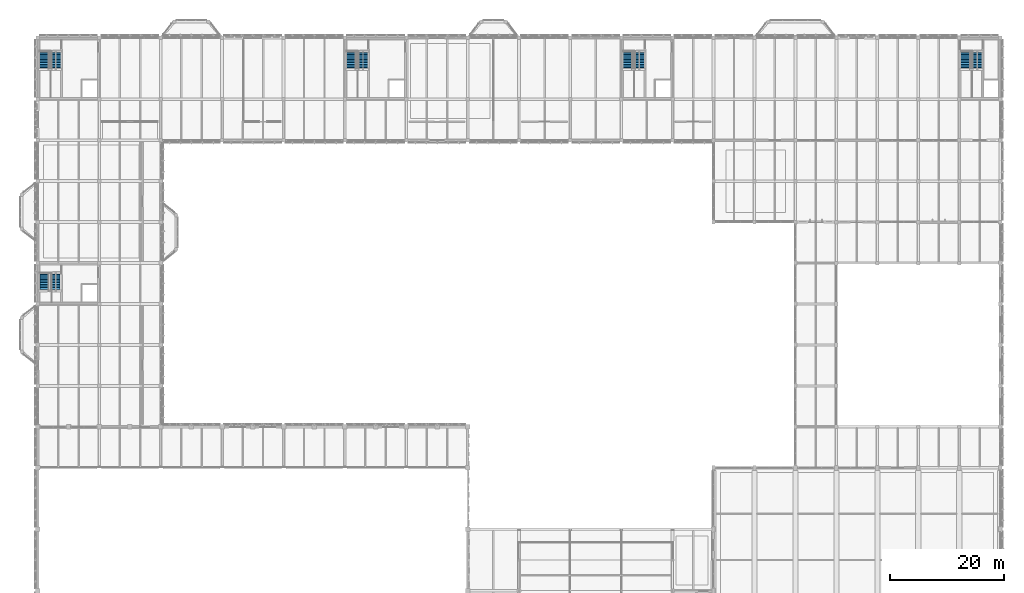
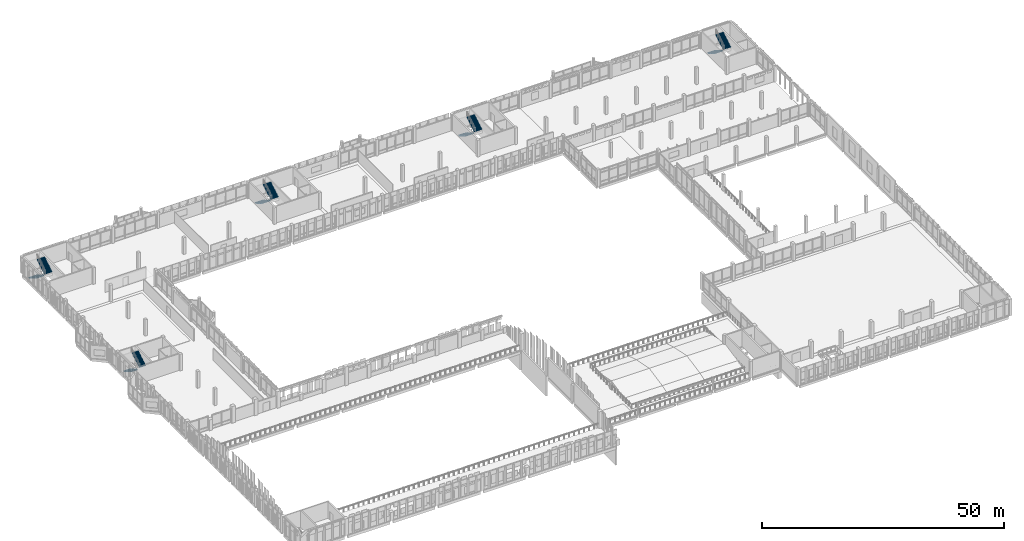
# One storey, part 138 of 158: 10 stair flights, 5 elements without a shape of their own.
"""IFC4 building model written with IfcOpenShell, lengths in metres."""

from ifc_helpers import new_model, si_unit, direction, frame, origin, place, context, subcontext, project, spatial, polyline, outline, extrude, material, type_object, element, aggregate, save


model = new_model("IFC4")

# Units and contexts
model_context = context("Model", 3, precision=1e-05, world=origin(), true_north=direction((0.0, 1.0)))
body_context = subcontext(model_context, "Body", "Model", "MODEL_VIEW")
ifc_project = project(units=[si_unit("LENGTHUNIT", "METRE"), si_unit("AREAUNIT", "SQUARE_METRE"), si_unit("VOLUMEUNIT", "CUBIC_METRE"), si_unit("PLANEANGLEUNIT", "RADIAN"), si_unit("MASSUNIT", "GRAM", prefix="KILO")], contexts=[model_context])

# Site, building, storey
site_placement = place(None, origin())
site = spatial("IfcSite", under=ifc_project, at=site_placement, CompositionType="ELEMENT")
building_placement = place(site_placement, origin())
building = spatial("IfcBuilding", under=site, at=building_placement, Name="Lusvemor Sports Hall", CompositionType="ELEMENT")
storey_placement = place(building_placement, frame((0.0, 0.0, 10.800048828125)))
storey = spatial("IfcBuildingStorey", under=building, at=storey_placement, Name="L02", CompositionType="ELEMENT", Elevation=10.800048828125)

# Stair, stair flights
ifc_material_1 = material(Name="Concrete C40/50", Category="concrete")
stair_type = type_object("IfcStairType", Name="STAIR_CORE_420", PredefinedType="HALF_TURN_STAIR", material=ifc_material_1)
stair_1_placement = place(storey_placement, origin())
stair_1 = element("IfcStair", 1, at=stair_1_placement, inside=storey, type_object=stair_type, Name="Escape Stair C1 (L02)", PredefinedType="HALF_TURN_STAIR")
ifc_material_2 = material(Name="Concrete C40/50", Category="concrete")
stair_flight_type = type_object("IfcStairFlightType", Name="SFLT_CORE_12R", PredefinedType="STRAIGHT", material=ifc_material_2)
stair_flight_1_placement = place(storey_placement, frame((1.159912109375, 112.85009765625, 0.0), z_axis=(0.0, 0.0, 1.0), x_axis=(0.0, -1.0, 0.0)))
stair_flight_1 = element("IfcStairFlight", 2, at=stair_flight_1_placement, type_object=stair_flight_type, Name="ST02 flight 1", NumberOfRisers=12, NumberOfTreads=11, PredefinedType="STRAIGHT", RiserHeight=0.175, TreadLength=0.29, context=body_context, shape_type="SweptSolid", body=[
    extrude(outline(polyline([(0.0, 0.0), (0.0, 0.175048828125), (0.2900390625, 0.175048828125), (0.2900390625, 0.35009765625), (0.580078125, 0.35009765625), (0.580078125, 0.52490234375), (0.8701171875, 0.52490234375), (0.8701171875, 0.699951171875), (1.159912109375, 0.699951171875), (1.159912109375, 0.875), (1.449951171875, 0.875), (1.449951171875, 1.050048828125), (1.739990234375, 1.050048828125), (1.739990234375, 1.22509765625), (2.030029296875, 1.22509765625), (2.030029296875, 1.39990234375), (2.320068359375, 1.39990234375), (2.320068359375, 1.574951171875), (2.610107421875, 1.574951171875), (2.610107421875, 1.75), (2.89990234375, 1.75), (2.89990234375, 1.925048828125), (3.18994140625, 1.925048828125), (3.18994140625, 2.10009765625), (3.18994140625, 1.73828125), (0.3095703125, 0.0), (0.0, 0.0)])), frame((0.0, 0.9599609375, 0.0), z_axis=(0.0, -1.0, 0.0), x_axis=(1.0, 0.0, 0.0)), (0.0, 0.0, 1.0), 1.919921875),
])
stair_flight_2_placement = place(storey_placement, frame((3.159912109375, 109.659912109375, 2.099853515625), z_axis=(0.0, 0.0, 1.0), x_axis=(0.0, 1.0, 0.0)))
stair_flight_2 = element("IfcStairFlight", 3, at=stair_flight_2_placement, type_object=stair_flight_type, Name="ST02 flight 2", NumberOfRisers=12, NumberOfTreads=11, PredefinedType="STRAIGHT", RiserHeight=0.175, TreadLength=0.29, context=body_context, shape_type="SweptSolid", body=[
    extrude(outline(polyline([(0.0, 0.0), (0.0, 0.175048828125), (0.2900390625, 0.175048828125), (0.2900390625, 0.35009765625), (0.580078125, 0.35009765625), (0.580078125, 0.52490234375), (0.8701171875, 0.52490234375), (0.8701171875, 0.699951171875), (1.159912109375, 0.699951171875), (1.159912109375, 0.875), (1.449951171875, 0.875), (1.449951171875, 1.050048828125), (1.739990234375, 1.050048828125), (1.739990234375, 1.22509765625), (2.030029296875, 1.22509765625), (2.030029296875, 1.39990234375), (2.320068359375, 1.39990234375), (2.320068359375, 1.574951171875), (2.610107421875, 1.574951171875), (2.610107421875, 1.75), (2.89990234375, 1.75), (2.89990234375, 1.925048828125), (3.18994140625, 1.925048828125), (3.18994140625, 2.10009765625), (3.18994140625, 1.73828125), (0.3095703125, 0.0), (0.0, 0.0)])), frame((0.0, 0.9599609375, 0.0), z_axis=(0.0, -1.0, 0.0), x_axis=(1.0, 0.0, 0.0)), (0.0, 0.0, 1.0), 1.919921875),
])
aggregate(stair_1, [stair_flight_1, stair_flight_2])

stair_2_placement = place(storey_placement, origin())
stair_2 = element("IfcStair", 4, at=stair_2_placement, inside=storey, type_object=stair_type, Name="Escape Stair C2 (L02)", PredefinedType="HALF_TURN_STAIR")
stair_flight_3_placement = place(storey_placement, frame((55.159912109375, 112.85009765625, 0.0), z_axis=(0.0, 0.0, 1.0), x_axis=(0.0, -1.0, 0.0)))
stair_flight_3 = element("IfcStairFlight", 5, at=stair_flight_3_placement, type_object=stair_flight_type, Name="ST02 flight 1", NumberOfRisers=12, NumberOfTreads=11, PredefinedType="STRAIGHT", RiserHeight=0.175, TreadLength=0.29, context=body_context, shape_type="SweptSolid", body=[
    extrude(outline(polyline([(0.0, 0.0), (0.0, 0.175048828125), (0.2900390625, 0.175048828125), (0.2900390625, 0.35009765625), (0.580078125, 0.35009765625), (0.580078125, 0.52490234375), (0.8701171875, 0.52490234375), (0.8701171875, 0.699951171875), (1.159912109375, 0.699951171875), (1.159912109375, 0.875), (1.449951171875, 0.875), (1.449951171875, 1.050048828125), (1.739990234375, 1.050048828125), (1.739990234375, 1.22509765625), (2.030029296875, 1.22509765625), (2.030029296875, 1.39990234375), (2.320068359375, 1.39990234375), (2.320068359375, 1.574951171875), (2.610107421875, 1.574951171875), (2.610107421875, 1.75), (2.89990234375, 1.75), (2.89990234375, 1.925048828125), (3.18994140625, 1.925048828125), (3.18994140625, 2.10009765625), (3.18994140625, 1.73828125), (0.3095703125, 0.0), (0.0, 0.0)])), frame((0.0, 0.9599609375, 0.0), z_axis=(0.0, -1.0, 0.0), x_axis=(1.0, 0.0, 0.0)), (0.0, 0.0, 1.0), 1.919921875),
])
stair_flight_4_placement = place(storey_placement, frame((57.159912109375, 109.659912109375, 2.099853515625), z_axis=(0.0, 0.0, 1.0), x_axis=(0.0, 1.0, 0.0)))
stair_flight_4 = element("IfcStairFlight", 6, at=stair_flight_4_placement, type_object=stair_flight_type, Name="ST02 flight 2", NumberOfRisers=12, NumberOfTreads=11, PredefinedType="STRAIGHT", RiserHeight=0.175, TreadLength=0.29, context=body_context, shape_type="SweptSolid", body=[
    extrude(outline(polyline([(0.0, 0.0), (0.0, 0.175048828125), (0.2900390625, 0.175048828125), (0.2900390625, 0.35009765625), (0.580078125, 0.35009765625), (0.580078125, 0.52490234375), (0.8701171875, 0.52490234375), (0.8701171875, 0.699951171875), (1.159912109375, 0.699951171875), (1.159912109375, 0.875), (1.449951171875, 0.875), (1.449951171875, 1.050048828125), (1.739990234375, 1.050048828125), (1.739990234375, 1.22509765625), (2.030029296875, 1.22509765625), (2.030029296875, 1.39990234375), (2.320068359375, 1.39990234375), (2.320068359375, 1.574951171875), (2.610107421875, 1.574951171875), (2.610107421875, 1.75), (2.89990234375, 1.75), (2.89990234375, 1.925048828125), (3.18994140625, 1.925048828125), (3.18994140625, 2.10009765625), (3.18994140625, 1.73828125), (0.3095703125, 0.0), (0.0, 0.0)])), frame((0.0, 0.9599609375, 0.0), z_axis=(0.0, -1.0, 0.0), x_axis=(1.0, 0.0, 0.0)), (0.0, 0.0, 1.0), 1.919921875),
])
aggregate(stair_2, [stair_flight_3, stair_flight_4])

stair_3_placement = place(storey_placement, origin())
stair_3 = element("IfcStair", 7, at=stair_3_placement, inside=storey, type_object=stair_type, Name="Escape Stair C3 (L02)", PredefinedType="HALF_TURN_STAIR")
stair_flight_5_placement = place(storey_placement, frame((1.14990234375, 73.8798828125, 0.0), z_axis=(0.0, 0.0, 1.0), x_axis=(0.0, -1.0, 0.0)))
stair_flight_5 = element("IfcStairFlight", 8, at=stair_flight_5_placement, type_object=stair_flight_type, Name="ST02 flight 1", NumberOfRisers=12, NumberOfTreads=11, PredefinedType="STRAIGHT", RiserHeight=0.175, TreadLength=0.29, context=body_context, shape_type="SweptSolid", body=[
    extrude(outline(polyline([(0.0, 0.0), (0.0, 0.175048828125), (0.2900390625, 0.175048828125), (0.2900390625, 0.35009765625), (0.580078125, 0.35009765625), (0.580078125, 0.52490234375), (0.8701171875, 0.52490234375), (0.8701171875, 0.699951171875), (1.159912109375, 0.699951171875), (1.159912109375, 0.875), (1.449951171875, 0.875), (1.449951171875, 1.050048828125), (1.739990234375, 1.050048828125), (1.739990234375, 1.22509765625), (2.030029296875, 1.22509765625), (2.030029296875, 1.39990234375), (2.320068359375, 1.39990234375), (2.320068359375, 1.574951171875), (2.610107421875, 1.574951171875), (2.610107421875, 1.75), (2.89990234375, 1.75), (2.89990234375, 1.925048828125), (3.18994140625, 1.925048828125), (3.18994140625, 2.10009765625), (3.18994140625, 1.73828125), (0.3095703125, 0.0), (0.0, 0.0)])), frame((0.0, 0.75, 0.0), z_axis=(0.0, -1.0, 0.0), x_axis=(1.0, 0.0, 0.0)), (0.0, 0.0, 1.0), 1.5),
])
stair_flight_6_placement = place(storey_placement, frame((3.14990234375, 70.68994140625, 2.099853515625), z_axis=(0.0, 0.0, 1.0), x_axis=(0.0, 1.0, 0.0)))
stair_flight_6 = element("IfcStairFlight", 9, at=stair_flight_6_placement, type_object=stair_flight_type, Name="ST02 flight 2", NumberOfRisers=12, NumberOfTreads=11, PredefinedType="STRAIGHT", RiserHeight=0.175, TreadLength=0.29, context=body_context, shape_type="SweptSolid", body=[
    extrude(outline(polyline([(0.0, 0.0), (0.0, 0.175048828125), (0.2900390625, 0.175048828125), (0.2900390625, 0.35009765625), (0.580078125, 0.35009765625), (0.580078125, 0.52490234375), (0.8701171875, 0.52490234375), (0.8701171875, 0.699951171875), (1.159912109375, 0.699951171875), (1.159912109375, 0.875), (1.449951171875, 0.875), (1.449951171875, 1.050048828125), (1.739990234375, 1.050048828125), (1.739990234375, 1.22509765625), (2.030029296875, 1.22509765625), (2.030029296875, 1.39990234375), (2.320068359375, 1.39990234375), (2.320068359375, 1.574951171875), (2.610107421875, 1.574951171875), (2.610107421875, 1.75), (2.89990234375, 1.75), (2.89990234375, 1.925048828125), (3.18994140625, 1.925048828125), (3.18994140625, 2.10009765625), (3.18994140625, 1.73828125), (0.3095703125, 0.0), (0.0, 0.0)])), frame((0.0, 0.75, 0.0), z_axis=(0.0, -1.0, 0.0), x_axis=(1.0, 0.0, 0.0)), (0.0, 0.0, 1.0), 1.5),
])
aggregate(stair_3, [stair_flight_5, stair_flight_6])

stair_4_placement = place(storey_placement, origin())
stair_4 = element("IfcStair", 10, at=stair_4_placement, inside=storey, type_object=stair_type, Name="Escape Stair C4 (L02)", PredefinedType="HALF_TURN_STAIR")
stair_flight_7_placement = place(storey_placement, frame((103.760009765625, 112.85009765625, 0.0), z_axis=(0.0, 0.0, 1.0), x_axis=(0.0, -1.0, 0.0)))
stair_flight_7 = element("IfcStairFlight", 11, at=stair_flight_7_placement, type_object=stair_flight_type, Name="ST02 flight 1", NumberOfRisers=12, NumberOfTreads=11, PredefinedType="STRAIGHT", RiserHeight=0.175, TreadLength=0.29, context=body_context, shape_type="SweptSolid", body=[
    extrude(outline(polyline([(0.0, 0.0), (0.0, 0.175048828125), (0.2900390625, 0.175048828125), (0.2900390625, 0.35009765625), (0.580078125, 0.35009765625), (0.580078125, 0.52490234375), (0.8701171875, 0.52490234375), (0.8701171875, 0.699951171875), (1.159912109375, 0.699951171875), (1.159912109375, 0.875), (1.449951171875, 0.875), (1.449951171875, 1.050048828125), (1.739990234375, 1.050048828125), (1.739990234375, 1.22509765625), (2.030029296875, 1.22509765625), (2.030029296875, 1.39990234375), (2.320068359375, 1.39990234375), (2.320068359375, 1.574951171875), (2.610107421875, 1.574951171875), (2.610107421875, 1.75), (2.89990234375, 1.75), (2.89990234375, 1.925048828125), (3.18994140625, 1.925048828125), (3.18994140625, 2.10009765625), (3.18994140625, 1.73828125), (0.3095703125, 0.0), (0.0, 0.0)])), frame((0.0, 0.9599609375, 0.0), z_axis=(0.0, -1.0, 0.0), x_axis=(1.0, 0.0, 0.0)), (0.0, 0.0, 1.0), 1.919921875),
])
stair_flight_8_placement = place(storey_placement, frame((105.760009765625, 109.659912109375, 2.099853515625), z_axis=(0.0, 0.0, 1.0), x_axis=(0.0, 1.0, 0.0)))
stair_flight_8 = element("IfcStairFlight", 12, at=stair_flight_8_placement, type_object=stair_flight_type, Name="ST02 flight 2", NumberOfRisers=12, NumberOfTreads=11, PredefinedType="STRAIGHT", RiserHeight=0.175, TreadLength=0.29, context=body_context, shape_type="SweptSolid", body=[
    extrude(outline(polyline([(0.0, 0.0), (0.0, 0.175048828125), (0.2900390625, 0.175048828125), (0.2900390625, 0.35009765625), (0.580078125, 0.35009765625), (0.580078125, 0.52490234375), (0.8701171875, 0.52490234375), (0.8701171875, 0.699951171875), (1.159912109375, 0.699951171875), (1.159912109375, 0.875), (1.449951171875, 0.875), (1.449951171875, 1.050048828125), (1.739990234375, 1.050048828125), (1.739990234375, 1.22509765625), (2.030029296875, 1.22509765625), (2.030029296875, 1.39990234375), (2.320068359375, 1.39990234375), (2.320068359375, 1.574951171875), (2.610107421875, 1.574951171875), (2.610107421875, 1.75), (2.89990234375, 1.75), (2.89990234375, 1.925048828125), (3.18994140625, 1.925048828125), (3.18994140625, 2.10009765625), (3.18994140625, 1.73828125), (0.3095703125, 0.0), (0.0, 0.0)])), frame((0.0, 0.9599609375, 0.0), z_axis=(0.0, -1.0, 0.0), x_axis=(1.0, 0.0, 0.0)), (0.0, 0.0, 1.0), 1.919921875),
])
aggregate(stair_4, [stair_flight_7, stair_flight_8])

stair_5_placement = place(storey_placement, origin())
stair_5 = element("IfcStair", 13, at=stair_5_placement, inside=storey, type_object=stair_type, Name="Escape Stair C5 (L02)", PredefinedType="HALF_TURN_STAIR")
stair_flight_9_placement = place(storey_placement, frame((163.159912109375, 112.85009765625, 0.0), z_axis=(0.0, 0.0, 1.0), x_axis=(0.0, -1.0, 0.0)))
stair_flight_9 = element("IfcStairFlight", 14, at=stair_flight_9_placement, type_object=stair_flight_type, Name="ST02 flight 1", NumberOfRisers=12, NumberOfTreads=11, PredefinedType="STRAIGHT", RiserHeight=0.175, TreadLength=0.29, context=body_context, shape_type="SweptSolid", body=[
    extrude(outline(polyline([(0.0, 0.0), (0.0, 0.175048828125), (0.2900390625, 0.175048828125), (0.2900390625, 0.35009765625), (0.580078125, 0.35009765625), (0.580078125, 0.52490234375), (0.8701171875, 0.52490234375), (0.8701171875, 0.699951171875), (1.159912109375, 0.699951171875), (1.159912109375, 0.875), (1.449951171875, 0.875), (1.449951171875, 1.050048828125), (1.739990234375, 1.050048828125), (1.739990234375, 1.22509765625), (2.030029296875, 1.22509765625), (2.030029296875, 1.39990234375), (2.320068359375, 1.39990234375), (2.320068359375, 1.574951171875), (2.610107421875, 1.574951171875), (2.610107421875, 1.75), (2.89990234375, 1.75), (2.89990234375, 1.925048828125), (3.18994140625, 1.925048828125), (3.18994140625, 2.10009765625), (3.18994140625, 1.73828125), (0.3095703125, 0.0), (0.0, 0.0)])), frame((0.0, 0.9599609375, 0.0), z_axis=(0.0, -1.0, 0.0), x_axis=(1.0, 0.0, 0.0)), (0.0, 0.0, 1.0), 1.919921875),
])
stair_flight_10_placement = place(storey_placement, frame((165.159912109375, 109.659912109375, 2.099853515625), z_axis=(0.0, 0.0, 1.0), x_axis=(0.0, 1.0, 0.0)))
stair_flight_10 = element("IfcStairFlight", 15, at=stair_flight_10_placement, type_object=stair_flight_type, Name="ST02 flight 2", NumberOfRisers=12, NumberOfTreads=11, PredefinedType="STRAIGHT", RiserHeight=0.175, TreadLength=0.29, context=body_context, shape_type="SweptSolid", body=[
    extrude(outline(polyline([(0.0, 0.0), (0.0, 0.175048828125), (0.2900390625, 0.175048828125), (0.2900390625, 0.35009765625), (0.580078125, 0.35009765625), (0.580078125, 0.52490234375), (0.8701171875, 0.52490234375), (0.8701171875, 0.699951171875), (1.159912109375, 0.699951171875), (1.159912109375, 0.875), (1.449951171875, 0.875), (1.449951171875, 1.050048828125), (1.739990234375, 1.050048828125), (1.739990234375, 1.22509765625), (2.030029296875, 1.22509765625), (2.030029296875, 1.39990234375), (2.320068359375, 1.39990234375), (2.320068359375, 1.574951171875), (2.610107421875, 1.574951171875), (2.610107421875, 1.75), (2.89990234375, 1.75), (2.89990234375, 1.925048828125), (3.18994140625, 1.925048828125), (3.18994140625, 2.10009765625), (3.18994140625, 1.73828125), (0.3095703125, 0.0), (0.0, 0.0)])), frame((0.0, 0.9599609375, 0.0), z_axis=(0.0, -1.0, 0.0), x_axis=(1.0, 0.0, 0.0)), (0.0, 0.0, 1.0), 1.919921875),
])
aggregate(stair_5, [stair_flight_9, stair_flight_10])

save(model, "model.ifc")
